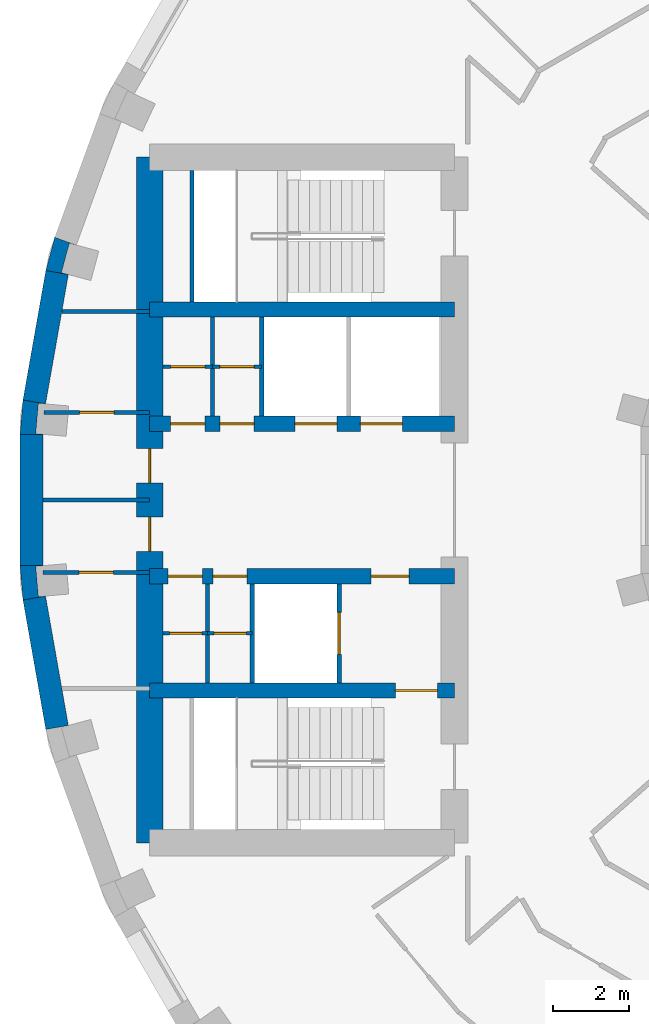
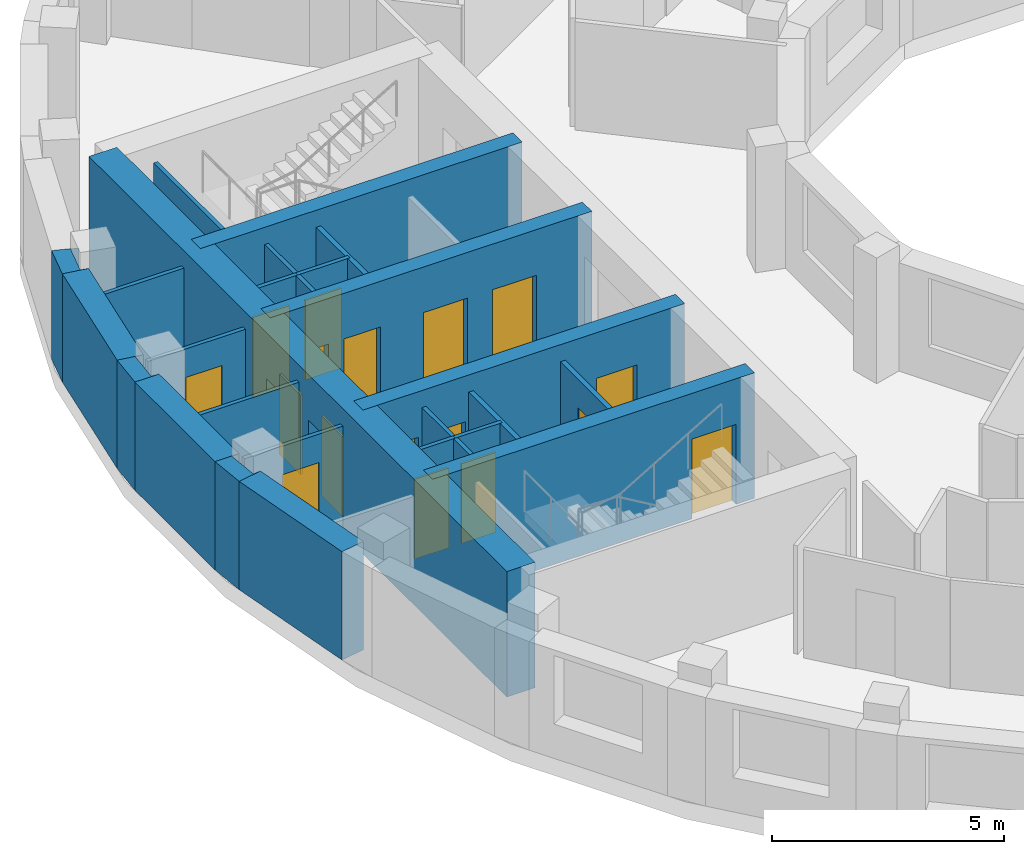
# One storey, part 7 of 15: 25 walls, 17 doors, 17 openings.
"""IFC4 building model written with IfcOpenShell, lengths in metres."""

from ifc_helpers import new_model, si_unit, direction, frame, frame_2d, origin, place, context, subcontext, project, spatial, polyline, rectangle, outline, extrude, material, layer, layer_set, type_object, element, fill, save


model = new_model("IFC4")

# Units and contexts
model_context = context("Model", 3, precision=1e-05, world=origin(), true_north=direction((0.0, 1.0)))
body_context = subcontext(model_context, "Body", "Model", "MODEL_VIEW")
ifc_project = project(units=[si_unit("LENGTHUNIT", "METRE"), si_unit("AREAUNIT", "SQUARE_METRE"), si_unit("VOLUMEUNIT", "CUBIC_METRE"), si_unit("PLANEANGLEUNIT", "RADIAN"), si_unit("MASSUNIT", "GRAM", prefix="KILO")], contexts=[model_context])

# Site, building, storey
site_placement = place(None, origin())
site = spatial("IfcSite", under=ifc_project, at=site_placement, CompositionType="ELEMENT")
building_placement = place(site_placement, origin())
building = spatial("IfcBuilding", under=site, at=building_placement, Name="Saqina Gate Tower", CompositionType="ELEMENT")
storey_placement = place(building_placement, frame((0.0, 0.0, 160.800048828125)))
storey = spatial("IfcBuildingStorey", under=building, at=storey_placement, Name="L45", CompositionType="ELEMENT", Elevation=160.800048828125)

# Walls
ifc_material_1 = material(Name="Brick masonry (buff)", Category="masonry")
wall_type_1 = type_object("IfcWallType", Name="BRICK PIER COPING BUFF", PredefinedType="SOLIDWALL", material=ifc_material_1)
wall_1_placement = place(storey_placement, origin())
element("IfcWall", 1, at=wall_1_placement, inside=storey, type_object=wall_type_1, Name="Pier cap L45 column 17", PredefinedType="SOLIDWALL", context=body_context, shape_type="SweptSolid", body=[
    extrude(outline(polyline([(-24.22705078125, 6.0234375), (-23.635986328125, 5.919189453125), (-23.81689453125, 5.967529296875), (-23.610107421875, 6.740478515625), (-23.428955078125, 6.69189453125), (-23.992919921875, 6.897216796875), (-24.22705078125, 6.0234375)])), origin(), (0.0, 0.0, 1.0), 2.849853515625),
])
wall_2_placement = place(storey_placement, origin())
element("IfcWall", 2, at=wall_2_placement, inside=storey, type_object=wall_type_1, Name="Pier cap L45 column 18", PredefinedType="SOLIDWALL", context=body_context, shape_type="SweptSolid", body=[
    extrude(outline(polyline([(-24.825927734375, 2.6259765625), (-24.90478515625, 1.724853515625), (-24.304931640625, 1.724853515625), (-24.491455078125, 1.7412109375), (-24.421630859375, 2.5380859375), (-24.235107421875, 2.521728515625), (-24.825927734375, 2.6259765625)])), origin(), (0.0, 0.0, 1.0), 2.849853515625),
])
wall_3_placement = place(storey_placement, origin())
element("IfcWall", 3, at=wall_3_placement, inside=storey, type_object=wall_type_1, Name="Pier cap L45 column 19", PredefinedType="SOLIDWALL", context=body_context, shape_type="SweptSolid", body=[
    extrude(outline(polyline([(-24.90478515625, -1.724853515625), (-24.825927734375, -2.6259765625), (-24.235107421875, -2.521728515625), (-24.421630859375, -2.5380859375), (-24.491455078125, -1.7412109375), (-24.304931640625, -1.724853515625), (-24.90478515625, -1.724853515625)])), origin(), (0.0, 0.0, 1.0), 2.849853515625),
])
ifc_material_2 = material(Name="Gypsum board on steel studs", Category="steel")
ifc_layer_1 = layer(ifc_material_2, 0.10009765625)
ifc_layer_set_1 = layer_set([ifc_layer_1], Name="CORE PARTITION")
wall_type_2 = type_object("IfcWallType", Name="CORE PARTITION", PredefinedType="PARTITIONING", material=ifc_layer_set_1)
wall_4_placement = place(storey_placement, frame((-21.5, 4.949951171875, 0.0), z_axis=(0.0, 0.0, 1.0), x_axis=(-1.0, 0.0, 0.0)))
element("IfcWall", 4, at=wall_4_placement, inside=storey, type_object=wall_type_2, Name="L45-CP-W01", PredefinedType="PARTITIONING", context=body_context, shape_type="SweptSolid", body=[
    extrude(rectangle(XDim=2.306884765625, YDim=0.10009765625, at=frame_2d((1.1533203125, 0.0))), origin(), (0.0, 0.0, 1.0), 2.849853515625),
])

# Wall, opening, door
wall_5_placement = place(storey_placement, frame((-21.5, 2.300048828125, 0.0), z_axis=(0.0, 0.0, 1.0), x_axis=(-1.0, 0.0, 0.0)))
wall_5 = element("IfcWall", 5, at=wall_5_placement, inside=storey, type_object=wall_type_2, Name="L45-CP-W02", PredefinedType="PARTITIONING", context=body_context, shape_type="SweptSolid", body=[
    extrude(rectangle(XDim=2.774169921875, YDim=0.10009765625, at=frame_2d((1.38720703125, 0.0))), origin(), (0.0, 0.0, 1.0), 2.849853515625),
])
opening_1_placement = place(wall_5_placement, frame((0.93701171875, 0.0, 0.0)))
opening_1 = element("IfcOpeningElement", 6, at=opening_1_placement, cuts=wall_5, Name="Opening G13-D112", PredefinedType="OPENING", context=body_context, shape_type="SweptSolid", body=[
    extrude(rectangle(XDim=0.89990234375, YDim=2.10009765625, at=frame_2d((0.449951171875, 1.050048828125))), frame((0.0, 0.06201171875, 0.0), z_axis=(0.0, -1.0, 0.0), x_axis=(1.0, 0.0, 0.0)), (0.0, 0.0, 1.0), 0.1240234375),
])
ifc_material_3 = material(Name="Steel-framed fire door leaf, EI 60", Category="steel")
door_type_1 = type_object("IfcDoorType", Name="SERVICE ROOM DOOR 900", OperationType="SINGLE_SWING_LEFT", PredefinedType="DOOR", material=ifc_material_3)
door_1_placement = place(opening_1_placement, frame((0.89990234375, 0.0, 0.0), z_axis=(0.0, 0.0, 1.0), x_axis=(-1.0, 0.0, 0.0)))
door_1 = element("IfcDoor", 7, at=door_1_placement, inside=storey, type_object=door_type_1, Name="L45-CD-W23", OperationType="SINGLE_SWING_RIGHT", OverallHeight=2.10009765625, OverallWidth=0.89990234375, PredefinedType="DOOR", context=body_context, shape_type="SweptSolid", body=[
    extrude(rectangle(XDim=0.89990234375, YDim=2.10009765625, at=frame_2d((0.449951171875, 1.050048828125))), frame((0.0, 0.02490234375, 0.0), z_axis=(0.0, -1.0, 0.0), x_axis=(1.0, 0.0, 0.0)), (0.0, 0.0, 1.0), 0.050048828125),
])
fill(opening_1, door_1)

wall_6_placement = place(storey_placement, frame((-21.5, -1.89990234375, 0.0), z_axis=(0.0, 0.0, 1.0), x_axis=(-1.0, 0.0, 0.0)))
wall_6 = element("IfcWall", 8, at=wall_6_placement, inside=storey, type_object=wall_type_2, Name="L45-CP-W04", PredefinedType="PARTITIONING", context=body_context, shape_type="SweptSolid", body=[
    extrude(rectangle(XDim=2.804931640625, YDim=0.10009765625, at=frame_2d((1.40234375, 0.0))), origin(), (0.0, 0.0, 1.0), 2.849853515625),
])
opening_2_placement = place(wall_6_placement, frame((0.952392578125, 0.0, 0.0)))
opening_2 = element("IfcOpeningElement", 9, at=opening_2_placement, cuts=wall_6, Name="Opening G13-D114", PredefinedType="OPENING", context=body_context, shape_type="SweptSolid", body=[
    extrude(rectangle(XDim=0.89990234375, YDim=2.10009765625, at=frame_2d((0.449951171875, 1.050048828125))), frame((0.0, 0.06201171875, 0.0), z_axis=(0.0, -1.0, 0.0), x_axis=(1.0, 0.0, 0.0)), (0.0, 0.0, 1.0), 0.1240234375),
])
door_2_placement = place(opening_2_placement, origin())
door_2 = element("IfcDoor", 10, at=door_2_placement, inside=storey, type_object=door_type_1, Name="L45-CD-W25", OperationType="SINGLE_SWING_LEFT", OverallHeight=2.10009765625, OverallWidth=0.89990234375, PredefinedType="DOOR", context=body_context, shape_type="SweptSolid", body=[
    extrude(rectangle(XDim=0.89990234375, YDim=2.10009765625, at=frame_2d((0.449951171875, 1.050048828125))), frame((0.0, 0.02490234375, 0.0), z_axis=(0.0, -1.0, 0.0), x_axis=(1.0, 0.0, 0.0)), (0.0, 0.0, 1.0), 0.050048828125),
])
fill(opening_2, door_2)

# Walls
wall_7_placement = place(storey_placement, frame((-21.5, 0.0, 0.0), z_axis=(0.0, 0.0, 1.0), x_axis=(-1.0, 0.0, 0.0)))
element("IfcWall", 11, at=wall_7_placement, inside=storey, type_object=wall_type_2, Name="L45-CP-W05", PredefinedType="PARTITIONING", context=body_context, shape_type="SweptSolid", body=[
    extrude(rectangle(XDim=2.804931640625, YDim=0.10009765625, at=frame_2d((1.40234375, 0.0))), origin(), (0.0, 0.0, 1.0), 2.849853515625),
])
for number, where, z_axis, x_axis, name in (
    (12, (-19.85498046875, 2.199951171875, 0.0), (0.0, 0.0, 1.0), (0.0, 1.0, 0.0), "L45-CP-W08"),
    (13, (-19.97998046875, -4.800048828125, 0.0), (0.0, 0.0, 1.0), (0.0, 1.0, 0.0), "L45-CP-W11"),
):
    element("IfcWall", number, at=place(storey_placement, frame(where, z_axis=z_axis, x_axis=x_axis)), inside=storey, type_object=wall_type_2, Name=name, PredefinedType="PARTITIONING", context=body_context, shape_type="SweptSolid", body=[
        extrude(rectangle(XDim=2.60009765625, YDim=0.10009765625, at=frame_2d((1.300048828125, 0.0))), origin(), (0.0, 0.0, 1.0), 2.849853515625),
    ])

# Wall, opening, door
wall_8_placement = place(storey_placement, frame((-18.56005859375, 3.5, 0.0), z_axis=(0.0, 0.0, 1.0), x_axis=(-1.0, 0.0, 0.0)))
wall_8 = element("IfcWall", 14, at=wall_8_placement, inside=storey, type_object=wall_type_2, Name="L45-CP-W12", PredefinedType="PARTITIONING", context=body_context, shape_type="SweptSolid", body=[
    extrude(rectangle(XDim=1.294921875, YDim=0.10009765625, at=frame_2d((0.6474609375, 0.0))), origin(), (0.0, 0.0, 1.0), 2.849853515625),
])
opening_3_placement = place(wall_8_placement, frame((0.197509765625, 0.0, 0.0)))
opening_3 = element("IfcOpeningElement", 15, at=opening_3_placement, cuts=wall_8, Name="Opening G13-D116", PredefinedType="OPENING", context=body_context, shape_type="SweptSolid", body=[
    extrude(rectangle(XDim=0.89990234375, YDim=2.10009765625, at=frame_2d((0.449951171875, 1.050048828125))), frame((0.0, 0.06201171875, 0.0), z_axis=(0.0, -1.0, 0.0), x_axis=(1.0, 0.0, 0.0)), (0.0, 0.0, 1.0), 0.1240234375),
])
door_3_placement = place(opening_3_placement, frame((0.89990234375, 0.0, 0.0), z_axis=(0.0, 0.0, 1.0), x_axis=(-1.0, 0.0, 0.0)))
door_3 = element("IfcDoor", 16, at=door_3_placement, inside=storey, type_object=door_type_1, Name="L45-CD-W27", OperationType="SINGLE_SWING_RIGHT", OverallHeight=2.10009765625, OverallWidth=0.89990234375, PredefinedType="DOOR", context=body_context, shape_type="SweptSolid", body=[
    extrude(rectangle(XDim=0.89990234375, YDim=2.10009765625, at=frame_2d((0.449951171875, 1.050048828125))), frame((0.0, 0.02490234375, 0.0), z_axis=(0.0, -1.0, 0.0), x_axis=(1.0, 0.0, 0.0)), (0.0, 0.0, 1.0), 0.050048828125),
])
fill(opening_3, door_3)

wall_9_placement = place(storey_placement, frame((-19.85498046875, 3.5, 0.0), z_axis=(0.0, 0.0, 1.0), x_axis=(-1.0, 0.0, 0.0)))
wall_9 = element("IfcWall", 17, at=wall_9_placement, inside=storey, type_object=wall_type_2, Name="L45-CP-W13", PredefinedType="PARTITIONING", context=body_context, shape_type="SweptSolid", body=[
    extrude(rectangle(XDim=1.294921875, YDim=0.10009765625, at=frame_2d((0.6474609375, 0.0))), origin(), (0.0, 0.0, 1.0), 2.849853515625),
])
opening_4_placement = place(wall_9_placement, frame((0.197509765625, 0.0, 0.0)))
opening_4 = element("IfcOpeningElement", 18, at=opening_4_placement, cuts=wall_9, Name="Opening G13-D117", PredefinedType="OPENING", context=body_context, shape_type="SweptSolid", body=[
    extrude(rectangle(XDim=0.89990234375, YDim=2.10009765625, at=frame_2d((0.449951171875, 1.050048828125))), frame((0.0, 0.06201171875, 0.0), z_axis=(0.0, -1.0, 0.0), x_axis=(1.0, 0.0, 0.0)), (0.0, 0.0, 1.0), 0.1240234375),
])
door_4_placement = place(opening_4_placement, frame((0.89990234375, 0.0, 0.0), z_axis=(0.0, 0.0, 1.0), x_axis=(-1.0, 0.0, 0.0)))
door_4 = element("IfcDoor", 19, at=door_4_placement, inside=storey, type_object=door_type_1, Name="L45-CD-W28", OperationType="SINGLE_SWING_LEFT", OverallHeight=2.10009765625, OverallWidth=0.89990234375, PredefinedType="DOOR", context=body_context, shape_type="SweptSolid", body=[
    extrude(rectangle(XDim=0.89990234375, YDim=2.10009765625, at=frame_2d((0.449951171875, 1.050048828125))), frame((0.0, 0.02490234375, 0.0), z_axis=(0.0, -1.0, 0.0), x_axis=(1.0, 0.0, 0.0)), (0.0, 0.0, 1.0), 0.050048828125),
])
fill(opening_4, door_4)

wall_10_placement = place(storey_placement, frame((-18.81005859375, -3.5, 0.0), z_axis=(0.0, 0.0, 1.0), x_axis=(-1.0, 0.0, 0.0)))
wall_10 = element("IfcWall", 20, at=wall_10_placement, inside=storey, type_object=wall_type_2, Name="L45-CP-W14", PredefinedType="PARTITIONING", context=body_context, shape_type="SweptSolid", body=[
    extrude(rectangle(XDim=1.169921875, YDim=0.10009765625, at=frame_2d((0.5849609375, 0.0))), origin(), (0.0, 0.0, 1.0), 2.849853515625),
])
opening_5_placement = place(wall_10_placement, frame((0.14990234375, 0.0, 0.0)))
opening_5 = element("IfcOpeningElement", 21, at=opening_5_placement, cuts=wall_10, Name="Opening G13-D118", PredefinedType="OPENING", context=body_context, shape_type="SweptSolid", body=[
    extrude(rectangle(XDim=0.85009765625, YDim=2.10009765625, at=frame_2d((0.425048828125, 1.050048828125))), frame((0.0, 0.06201171875, 0.0), z_axis=(0.0, -1.0, 0.0), x_axis=(1.0, 0.0, 0.0)), (0.0, 0.0, 1.0), 0.1240234375),
])
ifc_material_4 = material(Name="Steel-framed fire door leaf, EI 60", Category="steel")
door_type_2 = type_object("IfcDoorType", Name="SERVICE ROOM DOOR 850", OperationType="SINGLE_SWING_LEFT", PredefinedType="DOOR", material=ifc_material_4)
door_5_placement = place(opening_5_placement, origin())
door_5 = element("IfcDoor", 22, at=door_5_placement, inside=storey, type_object=door_type_2, Name="L45-CD-W29", OperationType="SINGLE_SWING_LEFT", OverallHeight=2.10009765625, OverallWidth=0.85009765625, PredefinedType="DOOR", context=body_context, shape_type="SweptSolid", body=[
    extrude(rectangle(XDim=0.85009765625, YDim=2.10009765625, at=frame_2d((0.425048828125, 1.050048828125))), frame((0.0, 0.02490234375, 0.0), z_axis=(0.0, -1.0, 0.0), x_axis=(1.0, 0.0, 0.0)), (0.0, 0.0, 1.0), 0.050048828125),
])
fill(opening_5, door_5)

wall_11_placement = place(storey_placement, frame((-19.97998046875, -3.5, 0.0), z_axis=(0.0, 0.0, 1.0), x_axis=(-1.0, 0.0, 0.0)))
wall_11 = element("IfcWall", 23, at=wall_11_placement, inside=storey, type_object=wall_type_2, Name="L45-CP-W15", PredefinedType="PARTITIONING", context=body_context, shape_type="SweptSolid", body=[
    extrude(rectangle(XDim=1.169921875, YDim=0.10009765625, at=frame_2d((0.5849609375, 0.0))), origin(), (0.0, 0.0, 1.0), 2.849853515625),
])
opening_6_placement = place(wall_11_placement, frame((0.14990234375, 0.0, 0.0)))
opening_6 = element("IfcOpeningElement", 24, at=opening_6_placement, cuts=wall_11, Name="Opening G13-D119", PredefinedType="OPENING", context=body_context, shape_type="SweptSolid", body=[
    extrude(rectangle(XDim=0.85009765625, YDim=2.10009765625, at=frame_2d((0.425048828125, 1.050048828125))), frame((0.0, 0.06201171875, 0.0), z_axis=(0.0, -1.0, 0.0), x_axis=(1.0, 0.0, 0.0)), (0.0, 0.0, 1.0), 0.1240234375),
])
door_6_placement = place(opening_6_placement, origin())
door_6 = element("IfcDoor", 25, at=door_6_placement, inside=storey, type_object=door_type_2, Name="L45-CD-W30", OperationType="SINGLE_SWING_RIGHT", OverallHeight=2.10009765625, OverallWidth=0.85009765625, PredefinedType="DOOR", context=body_context, shape_type="SweptSolid", body=[
    extrude(rectangle(XDim=0.85009765625, YDim=2.10009765625, at=frame_2d((0.425048828125, 1.050048828125))), frame((0.0, 0.02490234375, 0.0), z_axis=(0.0, -1.0, 0.0), x_axis=(1.0, 0.0, 0.0)), (0.0, 0.0, 1.0), 0.050048828125),
])
fill(opening_6, door_6)

# Walls
ifc_material_5 = material(Name="Glazed ceramic tile", Category="ceramic")
ifc_layer_2 = layer(ifc_material_5, 0.60009765625)
ifc_layer_set_2 = layer_set([ifc_layer_2], Name="FW-TILE")
wall_type_3 = type_object("IfcWallType", Name="FW-TILE", PredefinedType="SOLIDWALL", material=ifc_layer_set_2)
wall_12_placement = place(storey_placement, frame((-24.60498046875, 1.724853515625, 0.0), z_axis=(0.0, 0.0, 1.0), x_axis=(0.0, -1.0, 0.0)))
element("IfcWall", 26, at=wall_12_placement, inside=storey, type_object=wall_type_3, Name="Facade wall L45 facet 18", PredefinedType="SOLIDWALL", context=body_context, shape_type="SweptSolid", body=[
    extrude(rectangle(XDim=3.44970703125, YDim=0.60009765625, at=frame_2d((1.724853515625, 0.0))), origin(), (0.0, 0.0, 1.0), 2.849853515625),
])
ifc_material_6 = material(Name="Glazed ceramic tile (dark blue)", Category="ceramic")
ifc_layer_3 = layer(ifc_material_6, 0.60009765625)
ifc_layer_set_3 = layer_set([ifc_layer_3], Name="FW-TILE-CB")
wall_type_4 = type_object("IfcWallType", Name="FW-TILE-CB", PredefinedType="SOLIDWALL", material=ifc_layer_set_3)
wall_13_placement = place(storey_placement, frame((-23.931640625, 5.97119140625, 0.0), z_axis=(0.0, 0.0, 1.0), x_axis=(-0.173607684551, -0.984814892183, 0.0)))
element("IfcWall", 27, at=wall_13_placement, inside=storey, type_object=wall_type_4, Name="Facade wall L45 facet 17", PredefinedType="SOLIDWALL", context=body_context, shape_type="SweptSolid", body=[
    extrude(rectangle(XDim=3.44970703125, YDim=0.60009765625, at=frame_2d((1.724853515625, 0.0))), origin(), (0.0, 0.0, 1.0), 2.849853515625),
])
ifc_material_7 = material(Name="Glazed ceramic tile (white)", Category="ceramic")
ifc_layer_4 = layer(ifc_material_7, 0.60009765625)
ifc_layer_set_4 = layer_set([ifc_layer_4], Name="FW-TILE-WH")
wall_type_5 = type_object("IfcWallType", Name="FW-TILE-WH", PredefinedType="SOLIDWALL", material=ifc_layer_set_4)
wall_14_placement = place(storey_placement, frame((-24.530517578125, -2.573974609375, 0.0), z_axis=(0.0, 0.0, 1.0), x_axis=(0.173607684551, -0.984814892183, 0.0)))
element("IfcWall", 28, at=wall_14_placement, inside=storey, type_object=wall_type_5, Name="Facade wall L45 facet 19", PredefinedType="SOLIDWALL", context=body_context, shape_type="SweptSolid", body=[
    extrude(rectangle(XDim=3.44970703125, YDim=0.60009765625, at=frame_2d((1.724853515625, 0.0))), origin(), (0.0, 0.0, 1.0), 2.849853515625),
])
ifc_material_8 = material(Name="Autoclaved aerated concrete block", Category="concrete")
ifc_layer_5 = layer(ifc_material_8, 0.1201171875)
ifc_layer_set_5 = layer_set([ifc_layer_5], Name="SHAFT PARTITION")
wall_type_6 = type_object("IfcWallType", Name="SHAFT PARTITION", PredefinedType="PARTITIONING", material=ifc_layer_set_5)
wall_15_placement = place(storey_placement, frame((-18.56005859375, 2.199951171875, 0.0), z_axis=(0.0, 0.0, 1.0), x_axis=(0.0, 1.0, 0.0)))
element("IfcWall", 29, at=wall_15_placement, inside=storey, type_object=wall_type_6, Name="L45-CP-W07", PredefinedType="PARTITIONING", context=body_context, shape_type="SweptSolid", body=[
    extrude(rectangle(XDim=2.60009765625, YDim=0.1201171875, at=frame_2d((1.300048828125, 0.0))), origin(), (0.0, 0.0, 1.0), 2.849853515625),
])

# Wall, opening, door
wall_16_placement = place(storey_placement, frame((-16.530029296875, -4.800048828125, 0.0), z_axis=(0.0, 0.0, 1.0), x_axis=(0.0, 1.0, 0.0)))
wall_16 = element("IfcWall", 30, at=wall_16_placement, inside=storey, type_object=wall_type_6, Name="L45-CP-W09", PredefinedType="PARTITIONING", context=body_context, shape_type="SweptSolid", body=[
    extrude(rectangle(XDim=2.60009765625, YDim=0.1201171875, at=frame_2d((1.300048828125, 0.0))), origin(), (0.0, 0.0, 1.0), 2.849853515625),
])
opening_7_placement = place(wall_16_placement, frame((0.75, 0.0, 0.0)))
opening_7 = element("IfcOpeningElement", 31, at=opening_7_placement, cuts=wall_16, Name="Opening G13-LD6", PredefinedType="OPENING", context=body_context, shape_type="SweptSolid", body=[
    extrude(rectangle(XDim=1.10009765625, YDim=2.10009765625, at=frame_2d((0.550048828125, 1.050048828125))), frame((0.0, 0.072021484375, 0.0), z_axis=(0.0, -1.0, 0.0), x_axis=(1.0, 0.0, 0.0)), (0.0, 0.0, 1.0), 0.14404296875),
])
ifc_material_9 = material(Name="Stainless steel", Category="steel")
door_type_3 = type_object("IfcDoorType", Name="LANDING DOOR", OperationType="DOUBLE_DOOR_SLIDING", PredefinedType="DOOR", material=ifc_material_9)
door_7_placement = place(opening_7_placement, origin())
door_7 = element("IfcDoor", 32, at=door_7_placement, inside=storey, type_object=door_type_3, Name="LANDING DOOR FF2", OperationType="DOUBLE_DOOR_SLIDING", OverallHeight=2.10009765625, OverallWidth=1.10009765625, PredefinedType="DOOR", context=body_context, shape_type="SweptSolid", body=[
    extrude(rectangle(XDim=1.10009765625, YDim=2.10009765625, at=frame_2d((0.550048828125, 1.050048828125))), frame((0.0, 0.02490234375, 0.0), z_axis=(0.0, -1.0, 0.0), x_axis=(1.0, 0.0, 0.0)), (0.0, 0.0, 1.0), 0.050048828125),
])
fill(opening_7, door_7)

# Walls
wall_17_placement = place(storey_placement, frame((-18.81005859375, -4.800048828125, 0.0), z_axis=(0.0, 0.0, 1.0), x_axis=(0.0, 1.0, 0.0)))
element("IfcWall", 33, at=wall_17_placement, inside=storey, type_object=wall_type_6, Name="L45-CP-W10", PredefinedType="PARTITIONING", context=body_context, shape_type="SweptSolid", body=[
    extrude(rectangle(XDim=2.60009765625, YDim=0.1201171875, at=frame_2d((1.300048828125, 0.0))), origin(), (0.0, 0.0, 1.0), 2.849853515625),
])
ifc_material_10 = material(Name="Autoclaved aerated concrete block", Category="concrete")
ifc_layer_6 = layer(ifc_material_10, 0.10009765625)
ifc_layer_set_6 = layer_set([ifc_layer_6], Name="STAIR ENCLOSURE WALL")
wall_type_7 = type_object("IfcWallType", Name="STAIR ENCLOSURE WALL", PredefinedType="PARTITIONING", material=ifc_layer_set_6)
wall_18_placement = place(storey_placement, frame((-20.389892578125, 5.199951171875, 0.0), z_axis=(0.0, 0.0, 1.0), x_axis=(0.0, 1.0, 0.0)))
element("IfcWall", 34, at=wall_18_placement, inside=storey, type_object=wall_type_7, Name="L45-CP-W16", PredefinedType="PARTITIONING", context=body_context, shape_type="SweptSolid", body=[
    extrude(rectangle(XDim=3.449951171875, YDim=0.10009765625, at=frame_2d((1.72509765625, 0.0))), origin(), (0.0, 0.0, 1.0), 2.849853515625),
])
ifc_material_11 = material(Name="Concrete C60/75", Category="concrete")
ifc_layer_7 = layer(ifc_material_11, 0.39990234375)
ifc_layer_set_7 = layer_set([ifc_layer_7], Name="Concrete C60/75")
wall_type_8 = type_object("IfcWallType", Name="STR-CORE WALL-C-I", PredefinedType="SHEAR", material=ifc_layer_set_7)
wall_19_placement = place(storey_placement, frame((-13.5, 5.0, 0.0), z_axis=(0.0, 0.0, 1.0), x_axis=(-1.0, 0.0, 0.0)))
element("IfcWall", 35, at=wall_19_placement, inside=storey, type_object=wall_type_8, Name="CORE WALL L45 W-X1", PredefinedType="SHEAR", context=body_context, shape_type="SweptSolid", body=[
    extrude(rectangle(XDim=8.0, YDim=0.39990234375, at=frame_2d((4.0, 0.0))), origin(), (0.0, 0.0, 1.0), 3.300048828125),
])

# Wall, opening, door
wall_20_placement = place(storey_placement, frame((-13.5, -5.0, 0.0), z_axis=(0.0, 0.0, 1.0), x_axis=(-1.0, 0.0, 0.0)))
wall_20 = element("IfcWall", 36, at=wall_20_placement, inside=storey, type_object=wall_type_8, Name="CORE WALL L45 W-X2", PredefinedType="SHEAR", context=body_context, shape_type="SweptSolid", body=[
    extrude(rectangle(XDim=8.0, YDim=0.39990234375, at=frame_2d((4.0, 0.0))), origin(), (0.0, 0.0, 1.0), 3.300048828125),
])
opening_8_placement = place(wall_20_placement, frame((0.449951171875, 0.0, 0.0)))
opening_8 = element("IfcOpeningElement", 37, at=opening_8_placement, cuts=wall_20, Name="Opening G13-D120", PredefinedType="OPENING", context=body_context, shape_type="SweptSolid", body=[
    extrude(rectangle(XDim=1.10009765625, YDim=2.10009765625, at=frame_2d((0.550048828125, 1.050048828125))), frame((0.0, 0.2119140625, 0.0), z_axis=(0.0, -1.0, 0.0), x_axis=(1.0, 0.0, 0.0)), (0.0, 0.0, 1.0), 0.423828125),
])
ifc_material_12 = material(Name="Steel", Category="steel")
door_type_4 = type_object("IfcDoorType", Name="FIRE LOBBY DOOR EI 60 WIDE", OperationType="SINGLE_SWING_LEFT", PredefinedType="DOOR", material=ifc_material_12)
door_8_placement = place(opening_8_placement, origin())
door_8 = element("IfcDoor", 38, at=door_8_placement, inside=storey, type_object=door_type_4, Name="L45-CD-W31", OperationType="SINGLE_SWING_LEFT", OverallHeight=2.10009765625, OverallWidth=1.10009765625, PredefinedType="DOOR", context=body_context, shape_type="SweptSolid", body=[
    extrude(rectangle(XDim=1.10009765625, YDim=2.10009765625, at=frame_2d((0.550048828125, 1.050048828125))), frame((0.0, 0.02490234375, 0.0), z_axis=(0.0, -1.0, 0.0), x_axis=(1.0, 0.0, 0.0)), (0.0, 0.0, 1.0), 0.050048828125),
])
fill(opening_8, door_8)

# Wall, openings, doors
wall_21_placement = place(storey_placement, frame((-13.5, 2.0, 0.0), z_axis=(0.0, 0.0, 1.0), x_axis=(-1.0, 0.0, 0.0)))
wall_21 = element("IfcWall", 39, at=wall_21_placement, inside=storey, type_object=wall_type_8, Name="CORE WALL L45 W-L1", PredefinedType="SHEAR", context=body_context, shape_type="SweptSolid", body=[
    extrude(rectangle(XDim=8.0, YDim=0.39990234375, at=frame_2d((4.0, 0.0))), origin(), (0.0, 0.0, 1.0), 3.300048828125),
])
opening_9_placement = place(wall_21_placement, frame((1.3701171875, 0.0, 0.0)))
opening_9 = element("IfcOpeningElement", 40, at=opening_9_placement, cuts=wall_21, Name="Opening G13-LD4", PredefinedType="OPENING", context=body_context, shape_type="SweptSolid", body=[
    extrude(rectangle(XDim=1.10009765625, YDim=2.10009765625, at=frame_2d((0.550048828125, 1.050048828125))), frame((0.0, 0.2119140625, 0.0), z_axis=(0.0, -1.0, 0.0), x_axis=(1.0, 0.0, 0.0)), (0.0, 0.0, 1.0), 0.423828125),
])
opening_10_placement = place(wall_21_placement, frame((3.090087890625, 0.0, 0.0)))
opening_10 = element("IfcOpeningElement", 41, at=opening_10_placement, cuts=wall_21, Name="Opening G13-LD5", PredefinedType="OPENING", context=body_context, shape_type="SweptSolid", body=[
    extrude(rectangle(XDim=1.10009765625, YDim=2.10009765625, at=frame_2d((0.550048828125, 1.050048828125))), frame((0.0, 0.2119140625, 0.0), z_axis=(0.0, -1.0, 0.0), x_axis=(1.0, 0.0, 0.0)), (0.0, 0.0, 1.0), 0.423828125),
])
opening_11_placement = place(wall_21_placement, frame((5.257568359375, 0.0, 0.0)))
opening_11 = element("IfcOpeningElement", 42, at=opening_11_placement, cuts=wall_21, Name="Opening G13-D107", PredefinedType="OPENING", context=body_context, shape_type="SweptSolid", body=[
    extrude(rectangle(XDim=0.89990234375, YDim=2.10009765625, at=frame_2d((0.449951171875, 1.050048828125))), frame((0.0, 0.2119140625, 0.0), z_axis=(0.0, -1.0, 0.0), x_axis=(1.0, 0.0, 0.0)), (0.0, 0.0, 1.0), 0.423828125),
])
opening_12_placement = place(wall_21_placement, frame((6.552490234375, 0.0, 0.0)))
opening_12 = element("IfcOpeningElement", 43, at=opening_12_placement, cuts=wall_21, Name="Opening G13-D108", PredefinedType="OPENING", context=body_context, shape_type="SweptSolid", body=[
    extrude(rectangle(XDim=0.89990234375, YDim=2.10009765625, at=frame_2d((0.449951171875, 1.050048828125))), frame((0.0, 0.2119140625, 0.0), z_axis=(0.0, -1.0, 0.0), x_axis=(1.0, 0.0, 0.0)), (0.0, 0.0, 1.0), 0.423828125),
])
door_9_placement = place(opening_9_placement, origin())
door_9 = element("IfcDoor", 44, at=door_9_placement, inside=storey, type_object=door_type_3, Name="LANDING DOOR HR3", OperationType="DOUBLE_DOOR_SLIDING", OverallHeight=2.10009765625, OverallWidth=1.10009765625, PredefinedType="DOOR", context=body_context, shape_type="SweptSolid", body=[
    extrude(rectangle(XDim=1.10009765625, YDim=2.10009765625, at=frame_2d((0.550048828125, 1.050048828125))), frame((0.0, 0.02490234375, 0.0), z_axis=(0.0, -1.0, 0.0), x_axis=(1.0, 0.0, 0.0)), (0.0, 0.0, 1.0), 0.050048828125),
])
fill(opening_9, door_9)
door_10_placement = place(opening_10_placement, origin())
door_10 = element("IfcDoor", 45, at=door_10_placement, inside=storey, type_object=door_type_3, Name="LANDING DOOR HR4", OperationType="DOUBLE_DOOR_SLIDING", OverallHeight=2.10009765625, OverallWidth=1.10009765625, PredefinedType="DOOR", context=body_context, shape_type="SweptSolid", body=[
    extrude(rectangle(XDim=1.10009765625, YDim=2.10009765625, at=frame_2d((0.550048828125, 1.050048828125))), frame((0.0, 0.02490234375, 0.0), z_axis=(0.0, -1.0, 0.0), x_axis=(1.0, 0.0, 0.0)), (0.0, 0.0, 1.0), 0.050048828125),
])
fill(opening_10, door_10)
door_11_placement = place(opening_11_placement, frame((0.89990234375, 0.0, 0.0), z_axis=(0.0, 0.0, 1.0), x_axis=(-1.0, 0.0, 0.0)))
door_11 = element("IfcDoor", 46, at=door_11_placement, inside=storey, type_object=door_type_1, Name="L45-CD-W18", OperationType="SINGLE_SWING_RIGHT", OverallHeight=2.10009765625, OverallWidth=0.89990234375, PredefinedType="DOOR", context=body_context, shape_type="SweptSolid", body=[
    extrude(rectangle(XDim=0.89990234375, YDim=2.10009765625, at=frame_2d((0.449951171875, 1.050048828125))), frame((0.0, 0.02490234375, 0.0), z_axis=(0.0, -1.0, 0.0), x_axis=(1.0, 0.0, 0.0)), (0.0, 0.0, 1.0), 0.050048828125),
])
fill(opening_11, door_11)
door_12_placement = place(opening_12_placement, frame((0.89990234375, 0.0, 0.0), z_axis=(0.0, 0.0, 1.0), x_axis=(-1.0, 0.0, 0.0)))
door_12 = element("IfcDoor", 47, at=door_12_placement, inside=storey, type_object=door_type_1, Name="L45-CD-W19", OperationType="SINGLE_SWING_LEFT", OverallHeight=2.10009765625, OverallWidth=0.89990234375, PredefinedType="DOOR", context=body_context, shape_type="SweptSolid", body=[
    extrude(rectangle(XDim=0.89990234375, YDim=2.10009765625, at=frame_2d((0.449951171875, 1.050048828125))), frame((0.0, 0.02490234375, 0.0), z_axis=(0.0, -1.0, 0.0), x_axis=(1.0, 0.0, 0.0)), (0.0, 0.0, 1.0), 0.050048828125),
])
fill(opening_12, door_12)

wall_22_placement = place(storey_placement, frame((-13.5, -2.0, 0.0), z_axis=(0.0, 0.0, 1.0), x_axis=(-1.0, 0.0, 0.0)))
wall_22 = element("IfcWall", 48, at=wall_22_placement, inside=storey, type_object=wall_type_8, Name="CORE WALL L45 W-L2", PredefinedType="SHEAR", context=body_context, shape_type="SweptSolid", body=[
    extrude(rectangle(XDim=8.0, YDim=0.39990234375, at=frame_2d((4.0, 0.0))), origin(), (0.0, 0.0, 1.0), 3.300048828125),
])
opening_13_placement = place(wall_22_placement, frame((1.18994140625, 0.0, 0.0)))
opening_13 = element("IfcOpeningElement", 49, at=opening_13_placement, cuts=wall_22, Name="Opening G13-D109", PredefinedType="OPENING", context=body_context, shape_type="SweptSolid", body=[
    extrude(rectangle(XDim=1.0, YDim=2.10009765625, at=frame_2d((0.5, 1.050048828125))), frame((0.0, 0.2119140625, 0.0), z_axis=(0.0, -1.0, 0.0), x_axis=(1.0, 0.0, 0.0)), (0.0, 0.0, 1.0), 0.423828125),
])
opening_14_placement = place(wall_22_placement, frame((5.445068359375, 0.0, 0.0)))
opening_14 = element("IfcOpeningElement", 50, at=opening_14_placement, cuts=wall_22, Name="Opening G13-D110", PredefinedType="OPENING", context=body_context, shape_type="SweptSolid", body=[
    extrude(rectangle(XDim=0.89990234375, YDim=2.10009765625, at=frame_2d((0.449951171875, 1.050048828125))), frame((0.0, 0.2119140625, 0.0), z_axis=(0.0, -1.0, 0.0), x_axis=(1.0, 0.0, 0.0)), (0.0, 0.0, 1.0), 0.423828125),
])
opening_15_placement = place(wall_22_placement, frame((6.614990234375, 0.0, 0.0)))
opening_15 = element("IfcOpeningElement", 51, at=opening_15_placement, cuts=wall_22, Name="Opening G13-D111", PredefinedType="OPENING", context=body_context, shape_type="SweptSolid", body=[
    extrude(rectangle(XDim=0.89990234375, YDim=2.10009765625, at=frame_2d((0.449951171875, 1.050048828125))), frame((0.0, 0.2119140625, 0.0), z_axis=(0.0, -1.0, 0.0), x_axis=(1.0, 0.0, 0.0)), (0.0, 0.0, 1.0), 0.423828125),
])
ifc_material_13 = material(Name="Steel", Category="steel")
door_type_5 = type_object("IfcDoorType", Name="FIRE LOBBY DOOR EI 60", OperationType="SINGLE_SWING_LEFT", PredefinedType="DOOR", material=ifc_material_13)
door_13_placement = place(opening_13_placement, frame((1.0, 0.0, 0.0), z_axis=(0.0, 0.0, 1.0), x_axis=(-1.0, 0.0, 0.0)))
door_13 = element("IfcDoor", 52, at=door_13_placement, inside=storey, type_object=door_type_5, Name="L45-CD-W20", OperationType="SINGLE_SWING_RIGHT", OverallHeight=2.10009765625, OverallWidth=1.0, PredefinedType="DOOR", context=body_context, shape_type="SweptSolid", body=[
    extrude(rectangle(XDim=1.0, YDim=2.10009765625, at=frame_2d((0.5, 1.050048828125))), frame((0.0, 0.02490234375, 0.0), z_axis=(0.0, -1.0, 0.0), x_axis=(1.0, 0.0, 0.0)), (0.0, 0.0, 1.0), 0.050048828125),
])
fill(opening_13, door_13)
door_14_placement = place(opening_14_placement, origin())
door_14 = element("IfcDoor", 53, at=door_14_placement, inside=storey, type_object=door_type_1, Name="L45-CD-W21", OperationType="SINGLE_SWING_LEFT", OverallHeight=2.10009765625, OverallWidth=0.89990234375, PredefinedType="DOOR", context=body_context, shape_type="SweptSolid", body=[
    extrude(rectangle(XDim=0.89990234375, YDim=2.10009765625, at=frame_2d((0.449951171875, 1.050048828125))), frame((0.0, 0.02490234375, 0.0), z_axis=(0.0, -1.0, 0.0), x_axis=(1.0, 0.0, 0.0)), (0.0, 0.0, 1.0), 0.050048828125),
])
fill(opening_14, door_14)
door_15_placement = place(opening_15_placement, origin())
door_15 = element("IfcDoor", 54, at=door_15_placement, inside=storey, type_object=door_type_1, Name="L45-CD-W22", OperationType="SINGLE_SWING_RIGHT", OverallHeight=2.10009765625, OverallWidth=0.89990234375, PredefinedType="DOOR", context=body_context, shape_type="SweptSolid", body=[
    extrude(rectangle(XDim=0.89990234375, YDim=2.10009765625, at=frame_2d((0.449951171875, 1.050048828125))), frame((0.0, 0.02490234375, 0.0), z_axis=(0.0, -1.0, 0.0), x_axis=(1.0, 0.0, 0.0)), (0.0, 0.0, 1.0), 0.050048828125),
])
fill(opening_15, door_15)

ifc_material_14 = material(Name="Concrete C60/75", Category="concrete")
ifc_layer_8 = layer(ifc_material_14, 0.699951171875)
ifc_layer_set_8 = layer_set([ifc_layer_8], Name="Concrete C60/75")
wall_type_9 = type_object("IfcWallType", Name="STR-CORE WALL-C-O", PredefinedType="SHEAR", material=ifc_layer_set_8)
wall_23_placement = place(storey_placement, frame((-21.5, -9.0, 0.0), z_axis=(0.0, 0.0, 1.0), x_axis=(0.0, 1.0, 0.0)))
wall_23 = element("IfcWall", 55, at=wall_23_placement, inside=storey, type_object=wall_type_9, Name="CORE WALL L45 W-W2", PredefinedType="SHEAR", context=body_context, shape_type="SweptSolid", body=[
    extrude(rectangle(XDim=18.0, YDim=0.699951171875, at=frame_2d((9.0, 0.0))), origin(), (0.0, 0.0, 1.0), 3.300048828125),
])
opening_16_placement = place(wall_23_placement, frame((9.449951171875, 0.0, 0.0)))
opening_16 = element("IfcOpeningElement", 56, at=opening_16_placement, cuts=wall_23, Name="Opening G13-D113", PredefinedType="OPENING", context=body_context, shape_type="SweptSolid", body=[
    extrude(rectangle(XDim=0.89990234375, YDim=2.10009765625, at=frame_2d((0.449951171875, 1.050048828125))), frame((0.0, 0.362060546875, 0.0), z_axis=(0.0, -1.0, 0.0), x_axis=(1.0, 0.0, 0.0)), (0.0, 0.0, 1.0), 0.723876953125),
])
opening_17_placement = place(wall_23_placement, frame((7.64990234375, 0.0, 0.0)))
opening_17 = element("IfcOpeningElement", 57, at=opening_17_placement, cuts=wall_23, Name="Opening G13-D115", PredefinedType="OPENING", context=body_context, shape_type="SweptSolid", body=[
    extrude(rectangle(XDim=0.89990234375, YDim=2.10009765625, at=frame_2d((0.449951171875, 1.050048828125))), frame((0.0, 0.362060546875, 0.0), z_axis=(0.0, -1.0, 0.0), x_axis=(1.0, 0.0, 0.0)), (0.0, 0.0, 1.0), 0.723876953125),
])
door_16_placement = place(opening_16_placement, origin())
door_16 = element("IfcDoor", 58, at=door_16_placement, inside=storey, type_object=door_type_1, Name="L45-CD-W24", OperationType="SINGLE_SWING_LEFT", OverallHeight=2.10009765625, OverallWidth=0.89990234375, PredefinedType="DOOR", context=body_context, shape_type="SweptSolid", body=[
    extrude(rectangle(XDim=0.89990234375, YDim=2.10009765625, at=frame_2d((0.449951171875, 1.050048828125))), frame((0.0, 0.02490234375, 0.0), z_axis=(0.0, -1.0, 0.0), x_axis=(1.0, 0.0, 0.0)), (0.0, 0.0, 1.0), 0.050048828125),
])
fill(opening_16, door_16)
door_17_placement = place(opening_17_placement, origin())
door_17 = element("IfcDoor", 59, at=door_17_placement, inside=storey, type_object=door_type_1, Name="L45-CD-W26", OperationType="SINGLE_SWING_LEFT", OverallHeight=2.10009765625, OverallWidth=0.89990234375, PredefinedType="DOOR", context=body_context, shape_type="SweptSolid", body=[
    extrude(rectangle(XDim=0.89990234375, YDim=2.10009765625, at=frame_2d((0.449951171875, 1.050048828125))), frame((0.0, 0.02490234375, 0.0), z_axis=(0.0, -1.0, 0.0), x_axis=(1.0, 0.0, 0.0)), (0.0, 0.0, 1.0), 0.050048828125),
])
fill(opening_17, door_17)

save(model, "model.ifc")
